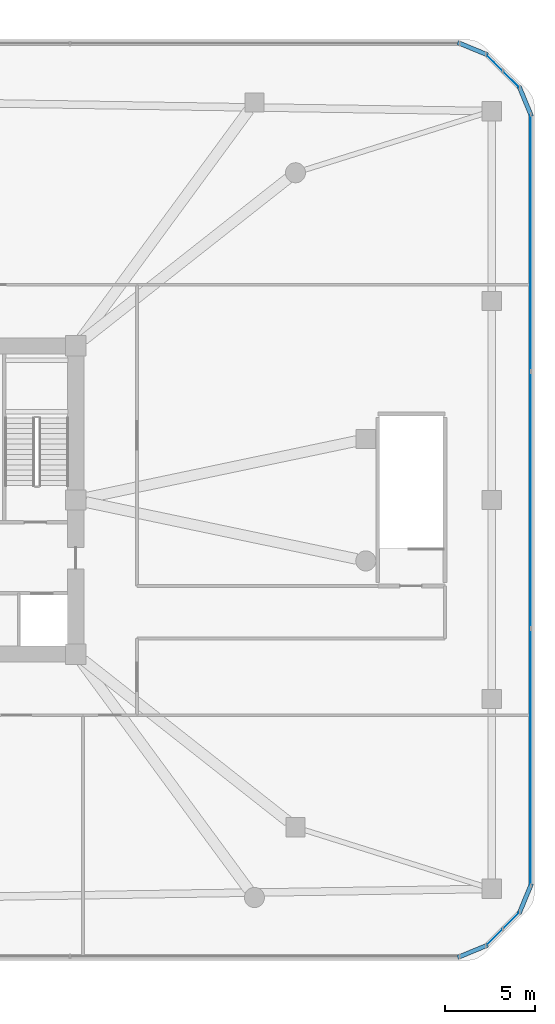
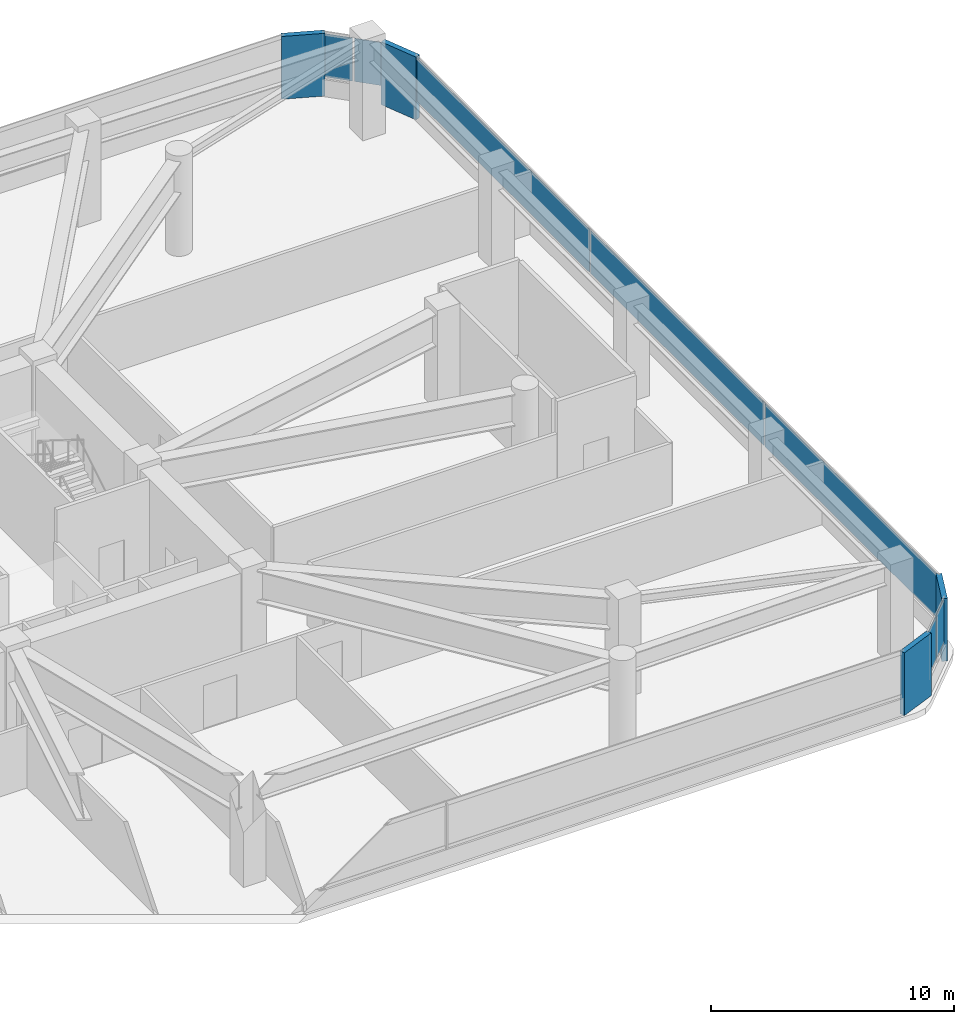
# One storey, part 15 of 21: 11 plates, 3 elements without a shape of their own.
"""IFC4 building model written with IfcOpenShell, lengths in metres."""

from ifc_helpers import new_model, si_unit, derived_unit, direction, frame, origin, origin_2d, place, context, subcontext, project, spatial, rectangle, extrude, material, layer, layer_set, type_object, element, aggregate, save


model = new_model("IFC4")

# Units and contexts
model_context = context("Model", 3, precision=1e-05, world=origin(), true_north=direction((0.0, 1.0)))
body_context = subcontext(model_context, "Body", "Model", "MODEL_VIEW")
ifc_project = project(units=[si_unit("LENGTHUNIT", "METRE"), si_unit("AREAUNIT", "SQUARE_METRE"), si_unit("VOLUMEUNIT", "CUBIC_METRE"), si_unit("PLANEANGLEUNIT", "RADIAN"), si_unit("MASSUNIT", "GRAM", prefix="KILO"), derived_unit("THERMALTRANSMITTANCEUNIT", [(si_unit("POWERUNIT", "WATT"), 1), (si_unit("LENGTHUNIT", "METRE"), -2), (si_unit("THERMODYNAMICTEMPERATUREUNIT", "KELVIN"), -1)])], contexts=[model_context])

# Site, building, storey
site_placement = place(None, origin())
site = spatial("IfcSite", under=ifc_project, at=site_placement, CompositionType="ELEMENT")
building_placement = place(site_placement, origin())
building = spatial("IfcBuilding", under=site, at=building_placement, Name="Koralith Skygarden Medical Center", CompositionType="ELEMENT")
storey_placement = place(building_placement, frame((0.0, 0.0, 18.89990234375)))
storey = spatial("IfcBuildingStorey", under=building, at=storey_placement, Name="L04", CompositionType="ELEMENT", Elevation=18.89990234375)

# Curtain wall, plates
ifc_material_1 = material(Name="Clear Laminated Glass", Category="glass")
curtain_wall_type = type_object("IfcCurtainWallType", Name="CW-1 Transit & Podium Acoustic Curtain Wall", PredefinedType="NOTDEFINED", material=ifc_material_1)
curtain_wall_1_placement = place(storey_placement, origin())
curtain_wall_1 = element("IfcCurtainWall", 1, at=curtain_wall_1_placement, inside=storey, type_object=curtain_wall_type, Name="Curtain Wall CW-L04-SE", PredefinedType="NOTDEFINED")
ifc_layer_1 = layer(ifc_material_1, 0.030029296875)
ifc_layer_set_1 = layer_set([ifc_layer_1], Name="Clear Laminated Glass")
plate_type_1 = type_object("IfcPlateType", Name="CW-1 Hurricane Laminated IGU Panel 30", PredefinedType="CURTAIN_PANEL", material=ifc_layer_set_1)
plate_1_placement = place(storey_placement, frame((71.549072265625, 1.498046875, 0.919921875), z_axis=(0.0, 0.0, 1.0), x_axis=(0.707106781187, 0.707106781187, 0.0)))
plate_1 = element("IfcPlate", 2, at=plate_1_placement, type_object=plate_type_1, Name="CW-L04-SE Glazed Panel 1", PredefinedType="CURTAIN_PANEL", context=body_context, shape_type="SweptSolid", body=[
    extrude(rectangle(XDim=1.258056640625, YDim=0.030029296875, at=origin_2d()), origin(), (0.0, 0.0, 1.0), 2.159912109375),
])
plate_2_placement = place(storey_placement, frame((72.501953125, 2.450927734375, 0.919921875), z_axis=(0.0, 0.0, 1.0), x_axis=(0.707106781187, 0.707106781187, 0.0)))
plate_2 = element("IfcPlate", 3, at=plate_2_placement, type_object=plate_type_1, Name="CW-L04-SE Glazed Panel 2", PredefinedType="CURTAIN_PANEL", context=body_context, shape_type="SweptSolid", body=[
    extrude(rectangle(XDim=1.258056640625, YDim=0.030029296875, at=origin_2d()), origin(), (0.0, 0.0, 1.0), 2.159912109375),
])
aggregate(curtain_wall_1, [plate_1, plate_2])

curtain_wall_2_placement = place(storey_placement, origin())
curtain_wall_2 = element("IfcCurtainWall", 4, at=curtain_wall_2_placement, inside=storey, type_object=curtain_wall_type, Name="Curtain Wall CW-L04-E", PredefinedType="NOTDEFINED")
plate_3_placement = place(storey_placement, frame((73.580078125, 11.552978515625, 0.919921875), z_axis=(0.0, 0.0, 1.0), x_axis=(0.0, 1.0, 0.0)))
plate_3 = element("IfcPlate", 5, at=plate_3_placement, type_object=plate_type_1, Name="CW-L04-E Glazed Panel 1", PredefinedType="CURTAIN_PANEL", context=body_context, shape_type="SweptSolid", body=[
    extrude(rectangle(XDim=14.257080078125, YDim=0.030029296875, at=origin_2d()), origin(), (0.0, 0.0, 1.0), 2.159912109375),
])
plate_4_placement = place(storey_placement, frame((73.580078125, 25.89990234375, 0.919921875), z_axis=(0.0, 0.0, 1.0), x_axis=(0.0, 1.0, 0.0)))
plate_4 = element("IfcPlate", 6, at=plate_4_placement, type_object=plate_type_1, Name="CW-L04-E Glazed Panel 2", PredefinedType="CURTAIN_PANEL", context=body_context, shape_type="SweptSolid", body=[
    extrude(rectangle(XDim=14.257080078125, YDim=0.030029296875, at=origin_2d()), origin(), (0.0, 0.0, 1.0), 2.159912109375),
])
plate_5_placement = place(storey_placement, frame((73.580078125, 40.2470703125, 0.919921875), z_axis=(0.0, 0.0, 1.0), x_axis=(0.0, 1.0, 0.0)))
plate_5 = element("IfcPlate", 7, at=plate_5_placement, type_object=plate_type_1, Name="CW-L04-E Glazed Panel 3", PredefinedType="CURTAIN_PANEL", context=body_context, shape_type="SweptSolid", body=[
    extrude(rectangle(XDim=14.257080078125, YDim=0.030029296875, at=origin_2d()), origin(), (0.0, 0.0, 1.0), 2.159912109375),
])
aggregate(curtain_wall_2, [plate_3, plate_4, plate_5])

curtain_wall_3_placement = place(storey_placement, origin())
curtain_wall_3 = element("IfcCurtainWall", 8, at=curtain_wall_3_placement, inside=storey, type_object=curtain_wall_type, Name="Curtain Wall CW-L04-NE", PredefinedType="NOTDEFINED")
plate_6_placement = place(storey_placement, frame((72.501953125, 49.34912109375, 0.919921875), z_axis=(0.0, 0.0, 1.0), x_axis=(-0.707106781187, 0.707106781187, 0.0)))
plate_6 = element("IfcPlate", 9, at=plate_6_placement, type_object=plate_type_1, Name="CW-L04-NE Glazed Panel 1", PredefinedType="CURTAIN_PANEL", context=body_context, shape_type="SweptSolid", body=[
    extrude(rectangle(XDim=1.258056640625, YDim=0.030029296875, at=origin_2d()), origin(), (0.0, 0.0, 1.0), 2.159912109375),
])
plate_7_placement = place(storey_placement, frame((71.549072265625, 50.302001953125, 0.919921875), z_axis=(0.0, 0.0, 1.0), x_axis=(-0.707106781187, 0.707106781187, 0.0)))
plate_7 = element("IfcPlate", 10, at=plate_7_placement, type_object=plate_type_1, Name="CW-L04-NE Glazed Panel 2", PredefinedType="CURTAIN_PANEL", context=body_context, shape_type="SweptSolid", body=[
    extrude(rectangle(XDim=1.258056640625, YDim=0.030029296875, at=origin_2d()), origin(), (0.0, 0.0, 1.0), 2.159912109375),
])
aggregate(curtain_wall_3, [plate_6, plate_7])

# Plates
ifc_material_2 = material(Name="Warm Oolitic Limestone Cladding", Category="masonry")
ifc_layer_2 = layer(ifc_material_2, 0.239990234375)
ifc_layer_set_2 = layer_set([ifc_layer_2], Name="Warm Oolitic Limestone Cladding")
plate_type_2 = type_object("IfcPlateType", Name="Rounded-Corner Oolitic Limestone Cladding Panel 240", PredefinedType="USERDEFINED", material=ifc_layer_set_2)
for number, where, z_axis, x_axis, name in (
    (11, (70.345947265625, 0.719970703125, 0.000244140625), (0.0, 0.0, 1.0), (0.92388487569, 0.382670532536, 0.0), "L04 Rounded-Corner Limestone Pier 1"),
    (12, (73.279052734375, 3.653076171875, 0.000244140625), (0.0, 0.0, 1.0), (0.382670532536, 0.92388487569, 0.0), "L04 Rounded-Corner Limestone Pier 2"),
    (13, (73.279052734375, 48.14697265625, 0.000244140625), (0.0, 0.0, 1.0), (-0.382670532536, 0.92388487569, 0.0), "L04 Rounded-Corner Limestone Pier 3"),
    (14, (70.345947265625, 51.080078125, 0.000244140625), (0.0, 0.0, 1.0), (-0.92388487569, 0.382670532536, 0.0), "L04 Rounded-Corner Limestone Pier 4"),
):
    element("IfcPlate", number, at=place(storey_placement, frame(where, z_axis=z_axis, x_axis=x_axis)), inside=storey, type_object=plate_type_2, Name=name, ObjectType="LIMESTONE CLADDING", PredefinedType="USERDEFINED", context=body_context, shape_type="SweptSolid", body=[
        extrude(rectangle(XDim=1.81103515625, YDim=0.239990234375, at=origin_2d()), origin(), (0.0, 0.0, 1.0), 3.14990234375),
    ])

save(model, "model.ifc")
